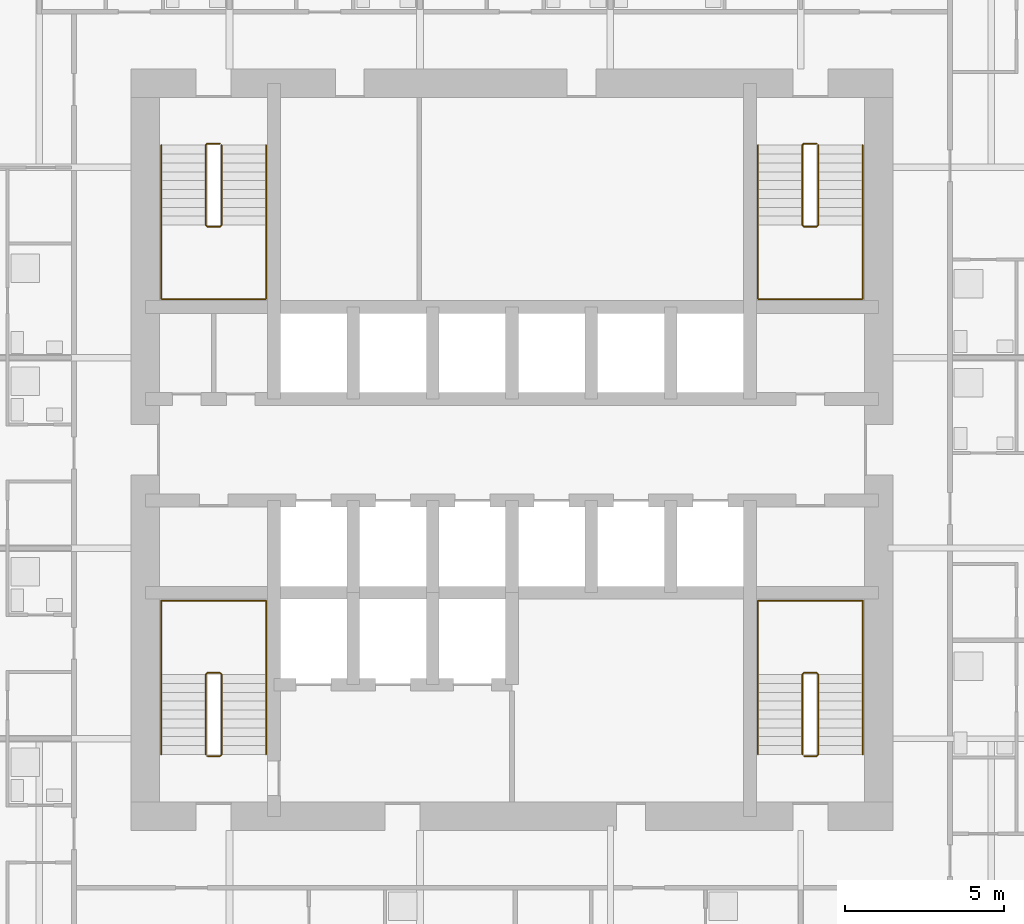
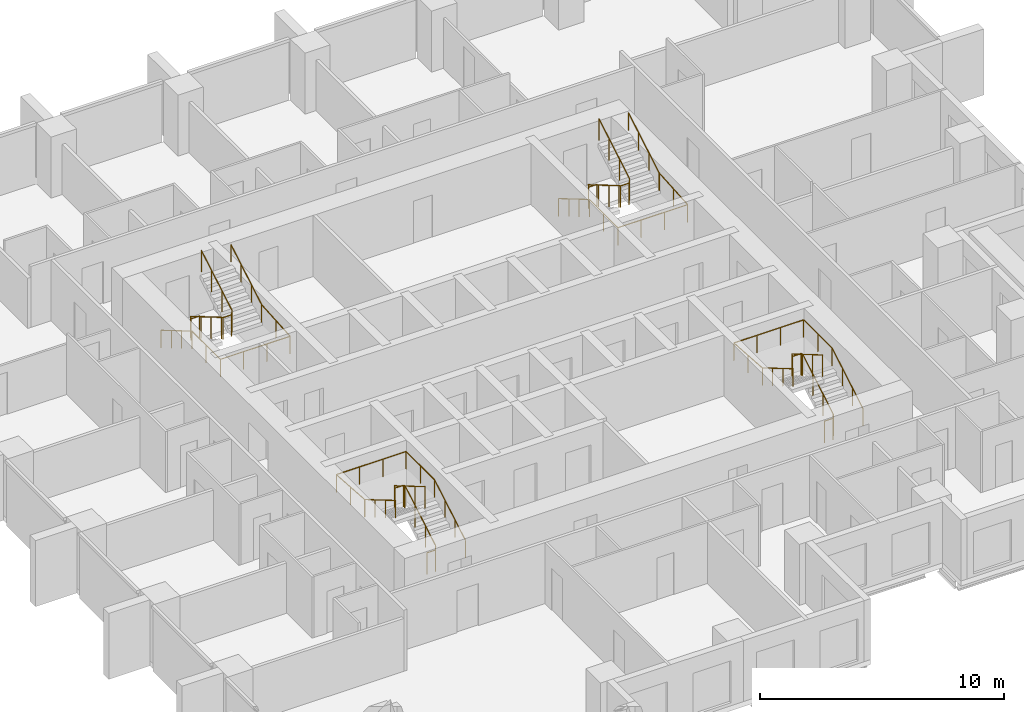
# One storey, part 9 of 10: 8 railings.
"""IFC4 building model written with IfcOpenShell, lengths in metres."""

from ifc_helpers import new_model, si_unit, direction, frame, origin, origin_2d, place, context, subcontext, project, spatial, circle, extrude, material, type_object, element, save


model = new_model("IFC4")

# Units and contexts
model_context = context("Model", 3, precision=1e-05, world=origin(), true_north=direction((0.0, 1.0)))
body_context = subcontext(model_context, "Body", "Model", "MODEL_VIEW")
ifc_project = project(units=[si_unit("LENGTHUNIT", "METRE"), si_unit("AREAUNIT", "SQUARE_METRE"), si_unit("VOLUMEUNIT", "CUBIC_METRE"), si_unit("PLANEANGLEUNIT", "RADIAN"), si_unit("MASSUNIT", "GRAM", prefix="KILO")], contexts=[model_context])

# Site, building, storey
site_placement = place(None, origin())
site = spatial("IfcSite", under=ifc_project, at=site_placement, CompositionType="ELEMENT")
building_placement = place(site_placement, origin())
building = spatial("IfcBuilding", under=site, at=building_placement, Name="Amberfall Residences", CompositionType="ELEMENT")
storey_placement = place(building_placement, frame((0.0, 0.0, 26.800048828125)))
storey = spatial("IfcBuildingStorey", under=building, at=storey_placement, Name="L06", CompositionType="ELEMENT", Elevation=26.800048828125)

# Railings
ifc_material = material(Name="Stainless steel 316", Category="steel")
railing_type_1 = type_object("IfcRailingType", Name="Stair guard 1100", PredefinedType="GUARDRAIL", material=ifc_material)
railing_1_placement = place(storey_placement, frame((64.89990234375, 35.85009765625, 0.0)))
element("IfcRailing", 1, at=railing_1_placement, inside=storey, type_object=railing_type_1, Name="L06 stair 1 guard", PredefinedType="GUARDRAIL", context=body_context, shape_type="SweptSolid", body=[
    extrude(circle(Radius=0.02392578125, at=origin_2d()), frame((0.0, 0.0, 1.076171875), z_axis=(1.0, 0.0, 0.0), x_axis=(0.0, 1.0, 0.0)), (0.0, 0.0, 1.0), 0.400146484375),
    extrude(circle(Radius=0.02392578125, at=origin_2d()), frame((0.400146484375, 0.0, 1.076171875), z_axis=(0.278810427259, 0.277450376394, 0.919394384522), x_axis=(-0.705375805398, 0.708833529934, 0.0)), (0.0, 0.0, 1.0), 0.179443359375),
    extrude(circle(Radius=0.02392578125, at=origin_2d()), frame((0.4501953125, 0.0498046875, 1.2412109375), z_axis=(0.0, 0.861560626758, 0.507654692109), x_axis=(-1.0, 0.0, 0.0)), (0.0, 0.0, 1.0), 2.925048828125),
    extrude(circle(Radius=0.02392578125, at=origin_2d()), frame((0.4501953125, 2.56982421875, 2.72607421875), z_axis=(-0.707106781187, 0.707106781187, 0.0), x_axis=(-0.707106781187, -0.707106781187, 0.0)), (0.0, 0.0, 1.0), 0.07080078125),
    extrude(circle(Radius=0.02392578125, at=origin_2d()), frame((0.400146484375, 2.619873046875, 2.72607421875), z_axis=(-1.0, 0.0, 0.0), x_axis=(0.0, -1.0, 0.0)), (0.0, 0.0, 1.0), 0.400146484375),
    extrude(circle(Radius=0.02392578125, at=origin_2d()), frame((0.0, 2.619873046875, 2.72607421875), z_axis=(-0.277450376394, -0.278810427259, 0.919394384522), x_axis=(0.708833529934, -0.705375805398, 0.0)), (0.0, 0.0, 1.0), 0.179443359375),
    extrude(circle(Radius=0.02392578125, at=origin_2d()), frame((-0.0498046875, 2.56982421875, 2.89111328125), z_axis=(0.0, -0.86152411907, 0.507716645641), x_axis=(1.0, 0.0, 0.0)), (0.0, 0.0, 1.0), 2.925048828125),
    extrude(circle(Radius=0.02099609375, at=origin_2d()), origin(), (0.0, 0.0, 1.0), 1.052001953125),
    extrude(circle(Radius=0.02099609375, at=origin_2d()), frame((0.400146484375, 0.0, 0.0)), (0.0, 0.0, 1.0), 1.052001953125),
    extrude(circle(Radius=0.02099609375, at=origin_2d()), frame((0.4501953125, 0.0498046875, 0.1650390625)), (0.0, 0.0, 1.0), 1.052001953125),
    extrude(circle(Radius=0.02099609375, at=origin_2d()), frame((0.4501953125, 0.889892578125, 0.659912109375)), (0.0, 0.0, 1.0), 1.052001953125),
    extrude(circle(Radius=0.02099609375, at=origin_2d()), frame((0.4501953125, 1.729736328125, 1.155029296875)), (0.0, 0.0, 1.0), 1.052001953125),
    extrude(circle(Radius=0.02099609375, at=origin_2d()), frame((0.4501953125, 2.56982421875, 1.64990234375)), (0.0, 0.0, 1.0), 1.052001953125),
    extrude(circle(Radius=0.02099609375, at=origin_2d()), frame((0.400146484375, 2.619873046875, 1.64990234375)), (0.0, 0.0, 1.0), 1.052001953125),
    extrude(circle(Radius=0.02099609375, at=origin_2d()), frame((0.0, 2.619873046875, 1.64990234375)), (0.0, 0.0, 1.0), 1.052001953125),
    extrude(circle(Radius=0.02099609375, at=origin_2d()), frame((-0.0498046875, 2.56982421875, 1.81494140625)), (0.0, 0.0, 1.0), 1.052001953125),
    extrude(circle(Radius=0.02099609375, at=origin_2d()), frame((-0.0498046875, 1.729736328125, 2.31005859375)), (0.0, 0.0, 1.0), 1.052001953125),
    extrude(circle(Radius=0.02099609375, at=origin_2d()), frame((-0.0498046875, 0.889892578125, 2.804931640625)), (0.0, 0.0, 1.0), 1.052001953125),
    extrude(circle(Radius=0.02099609375, at=origin_2d()), frame((-0.0498046875, 0.0498046875, 3.300048828125)), (0.0, 0.0, 1.0), 1.052001953125),
])
railing_2_placement = place(storey_placement, frame((83.699951171875, 35.85009765625, 0.0)))
element("IfcRailing", 2, at=railing_2_placement, inside=storey, type_object=railing_type_1, Name="L06 stair 2 guard", PredefinedType="GUARDRAIL", context=body_context, shape_type="SweptSolid", body=[
    extrude(circle(Radius=0.02392578125, at=origin_2d()), frame((0.0, 0.0, 1.076171875), z_axis=(1.0, 0.0, 0.0), x_axis=(0.0, 1.0, 0.0)), (0.0, 0.0, 1.0), 0.400146484375),
    extrude(circle(Radius=0.02392578125, at=origin_2d()), frame((0.400146484375, 0.0, 1.076171875), z_axis=(0.27755538755, 0.27755538755, 0.919742362667), x_axis=(-0.707106781187, 0.707106781187, 0.0)), (0.0, 0.0, 1.0), 0.179443359375),
    extrude(circle(Radius=0.02392578125, at=origin_2d()), frame((0.449951171875, 0.0498046875, 1.2412109375), z_axis=(0.0, 0.861560626758, 0.507654692109), x_axis=(-1.0, 0.0, 0.0)), (0.0, 0.0, 1.0), 2.925048828125),
    extrude(circle(Radius=0.02392578125, at=origin_2d()), frame((0.449951171875, 2.56982421875, 2.72607421875), z_axis=(-0.705375805398, 0.708833529934, 0.0), x_axis=(-0.708833529934, -0.705375805398, 0.0)), (0.0, 0.0, 1.0), 0.070556640625),
    extrude(circle(Radius=0.02392578125, at=origin_2d()), frame((0.400146484375, 2.619873046875, 2.72607421875), z_axis=(-1.0, 0.0, 0.0), x_axis=(0.0, -1.0, 0.0)), (0.0, 0.0, 1.0), 0.400146484375),
    extrude(circle(Radius=0.02392578125, at=origin_2d()), frame((0.0, 2.619873046875, 2.72607421875), z_axis=(-0.278705021027, -0.278705021027, 0.919046801044), x_axis=(0.707106781187, -0.707106781187, 0.0)), (0.0, 0.0, 1.0), 0.1796875),
    extrude(circle(Radius=0.02392578125, at=origin_2d()), frame((-0.050048828125, 2.56982421875, 2.89111328125), z_axis=(0.0, -0.86152411907, 0.507716645641), x_axis=(1.0, 0.0, 0.0)), (0.0, 0.0, 1.0), 2.925048828125),
    extrude(circle(Radius=0.02099609375, at=origin_2d()), origin(), (0.0, 0.0, 1.0), 1.052001953125),
    extrude(circle(Radius=0.02099609375, at=origin_2d()), frame((0.400146484375, 0.0, 0.0)), (0.0, 0.0, 1.0), 1.052001953125),
    extrude(circle(Radius=0.02099609375, at=origin_2d()), frame((0.449951171875, 0.0498046875, 0.1650390625)), (0.0, 0.0, 1.0), 1.052001953125),
    extrude(circle(Radius=0.02099609375, at=origin_2d()), frame((0.449951171875, 0.889892578125, 0.659912109375)), (0.0, 0.0, 1.0), 1.052001953125),
    extrude(circle(Radius=0.02099609375, at=origin_2d()), frame((0.449951171875, 1.729736328125, 1.155029296875)), (0.0, 0.0, 1.0), 1.052001953125),
    extrude(circle(Radius=0.02099609375, at=origin_2d()), frame((0.449951171875, 2.56982421875, 1.64990234375)), (0.0, 0.0, 1.0), 1.052001953125),
    extrude(circle(Radius=0.02099609375, at=origin_2d()), frame((0.400146484375, 2.619873046875, 1.64990234375)), (0.0, 0.0, 1.0), 1.052001953125),
    extrude(circle(Radius=0.02099609375, at=origin_2d()), frame((0.0, 2.619873046875, 1.64990234375)), (0.0, 0.0, 1.0), 1.052001953125),
    extrude(circle(Radius=0.02099609375, at=origin_2d()), frame((-0.050048828125, 2.56982421875, 1.81494140625)), (0.0, 0.0, 1.0), 1.052001953125),
    extrude(circle(Radius=0.02099609375, at=origin_2d()), frame((-0.050048828125, 1.729736328125, 2.31005859375)), (0.0, 0.0, 1.0), 1.052001953125),
    extrude(circle(Radius=0.02099609375, at=origin_2d()), frame((-0.050048828125, 0.889892578125, 2.804931640625)), (0.0, 0.0, 1.0), 1.052001953125),
    extrude(circle(Radius=0.02099609375, at=origin_2d()), frame((-0.050048828125, 0.0498046875, 3.300048828125)), (0.0, 0.0, 1.0), 1.052001953125),
])
railing_3_placement = place(storey_placement, frame((84.10009765625, 55.14990234375, 0.0)))
element("IfcRailing", 3, at=railing_3_placement, inside=storey, type_object=railing_type_1, Name="L06 stair 3 guard", PredefinedType="GUARDRAIL", context=body_context, shape_type="SweptSolid", body=[
    extrude(circle(Radius=0.02392578125, at=origin_2d()), frame((0.0, 0.0, 1.076171875), z_axis=(-1.0, 0.0, 0.0), x_axis=(0.0, -1.0, 0.0)), (0.0, 0.0, 1.0), 0.400146484375),
    extrude(circle(Radius=0.02392578125, at=origin_2d()), frame((-0.400146484375, 0.0, 1.076171875), z_axis=(-0.278810427259, -0.277450376394, 0.919394384522), x_axis=(0.705375805398, -0.708833529934, 0.0)), (0.0, 0.0, 1.0), 0.179443359375),
    extrude(circle(Radius=0.02392578125, at=origin_2d()), frame((-0.4501953125, -0.0498046875, 1.2412109375), z_axis=(0.0, -0.861560626758, 0.507654692109), x_axis=(1.0, 0.0, 0.0)), (0.0, 0.0, 1.0), 2.925048828125),
    extrude(circle(Radius=0.02392578125, at=origin_2d()), frame((-0.4501953125, -2.56982421875, 2.72607421875), z_axis=(0.707106781187, -0.707106781187, 0.0), x_axis=(0.707106781187, 0.707106781187, 0.0)), (0.0, 0.0, 1.0), 0.07080078125),
    extrude(circle(Radius=0.02392578125, at=origin_2d()), frame((-0.400146484375, -2.619873046875, 2.72607421875), z_axis=(1.0, 0.0, 0.0), x_axis=(0.0, 1.0, 0.0)), (0.0, 0.0, 1.0), 0.400146484375),
    extrude(circle(Radius=0.02392578125, at=origin_2d()), frame((0.0, -2.619873046875, 2.72607421875), z_axis=(0.277450376394, 0.278810427259, 0.919394384522), x_axis=(-0.708833529934, 0.705375805398, 0.0)), (0.0, 0.0, 1.0), 0.179443359375),
    extrude(circle(Radius=0.02392578125, at=origin_2d()), frame((0.0498046875, -2.56982421875, 2.89111328125), z_axis=(0.0, 0.86152411907, 0.507716645641), x_axis=(-1.0, 0.0, 0.0)), (0.0, 0.0, 1.0), 2.925048828125),
    extrude(circle(Radius=0.02099609375, at=origin_2d()), origin(), (0.0, 0.0, 1.0), 1.052001953125),
    extrude(circle(Radius=0.02099609375, at=origin_2d()), frame((-0.400146484375, 0.0, 0.0)), (0.0, 0.0, 1.0), 1.052001953125),
    extrude(circle(Radius=0.02099609375, at=origin_2d()), frame((-0.4501953125, -0.0498046875, 0.1650390625)), (0.0, 0.0, 1.0), 1.052001953125),
    extrude(circle(Radius=0.02099609375, at=origin_2d()), frame((-0.4501953125, -0.889892578125, 0.659912109375)), (0.0, 0.0, 1.0), 1.052001953125),
    extrude(circle(Radius=0.02099609375, at=origin_2d()), frame((-0.4501953125, -1.729736328125, 1.155029296875)), (0.0, 0.0, 1.0), 1.052001953125),
    extrude(circle(Radius=0.02099609375, at=origin_2d()), frame((-0.4501953125, -2.56982421875, 1.64990234375)), (0.0, 0.0, 1.0), 1.052001953125),
    extrude(circle(Radius=0.02099609375, at=origin_2d()), frame((-0.400146484375, -2.619873046875, 1.64990234375)), (0.0, 0.0, 1.0), 1.052001953125),
    extrude(circle(Radius=0.02099609375, at=origin_2d()), frame((0.0, -2.619873046875, 1.64990234375)), (0.0, 0.0, 1.0), 1.052001953125),
    extrude(circle(Radius=0.02099609375, at=origin_2d()), frame((0.0498046875, -2.56982421875, 1.81494140625)), (0.0, 0.0, 1.0), 1.052001953125),
    extrude(circle(Radius=0.02099609375, at=origin_2d()), frame((0.0498046875, -1.729736328125, 2.31005859375)), (0.0, 0.0, 1.0), 1.052001953125),
    extrude(circle(Radius=0.02099609375, at=origin_2d()), frame((0.0498046875, -0.889892578125, 2.804931640625)), (0.0, 0.0, 1.0), 1.052001953125),
    extrude(circle(Radius=0.02099609375, at=origin_2d()), frame((0.0498046875, -0.0498046875, 3.300048828125)), (0.0, 0.0, 1.0), 1.052001953125),
])
railing_4_placement = place(storey_placement, frame((65.300048828125, 55.14990234375, 0.0)))
element("IfcRailing", 4, at=railing_4_placement, inside=storey, type_object=railing_type_1, Name="L06 stair 4 guard", PredefinedType="GUARDRAIL", context=body_context, shape_type="SweptSolid", body=[
    extrude(circle(Radius=0.02392578125, at=origin_2d()), frame((0.0, 0.0, 1.076171875), z_axis=(-1.0, 0.0, 0.0), x_axis=(0.0, -1.0, 0.0)), (0.0, 0.0, 1.0), 0.400146484375),
    extrude(circle(Radius=0.02392578125, at=origin_2d()), frame((-0.400146484375, 0.0, 1.076171875), z_axis=(-0.27755538755, -0.27755538755, 0.919742362667), x_axis=(0.707106781187, -0.707106781187, 0.0)), (0.0, 0.0, 1.0), 0.179443359375),
    extrude(circle(Radius=0.02392578125, at=origin_2d()), frame((-0.449951171875, -0.0498046875, 1.2412109375), z_axis=(0.0, -0.861560626758, 0.507654692109), x_axis=(1.0, 0.0, 0.0)), (0.0, 0.0, 1.0), 2.925048828125),
    extrude(circle(Radius=0.02392578125, at=origin_2d()), frame((-0.449951171875, -2.56982421875, 2.72607421875), z_axis=(0.705375805398, -0.708833529934, 0.0), x_axis=(0.708833529934, 0.705375805398, 0.0)), (0.0, 0.0, 1.0), 0.070556640625),
    extrude(circle(Radius=0.02392578125, at=origin_2d()), frame((-0.400146484375, -2.619873046875, 2.72607421875), z_axis=(1.0, 0.0, 0.0), x_axis=(0.0, 1.0, 0.0)), (0.0, 0.0, 1.0), 0.400146484375),
    extrude(circle(Radius=0.02392578125, at=origin_2d()), frame((0.0, -2.619873046875, 2.72607421875), z_axis=(0.278705021027, 0.278705021027, 0.919046801044), x_axis=(-0.707106781187, 0.707106781187, 0.0)), (0.0, 0.0, 1.0), 0.1796875),
    extrude(circle(Radius=0.02392578125, at=origin_2d()), frame((0.050048828125, -2.56982421875, 2.89111328125), z_axis=(0.0, 0.86152411907, 0.507716645641), x_axis=(-1.0, 0.0, 0.0)), (0.0, 0.0, 1.0), 2.925048828125),
    extrude(circle(Radius=0.02099609375, at=origin_2d()), origin(), (0.0, 0.0, 1.0), 1.052001953125),
    extrude(circle(Radius=0.02099609375, at=origin_2d()), frame((-0.400146484375, 0.0, 0.0)), (0.0, 0.0, 1.0), 1.052001953125),
    extrude(circle(Radius=0.02099609375, at=origin_2d()), frame((-0.449951171875, -0.0498046875, 0.1650390625)), (0.0, 0.0, 1.0), 1.052001953125),
    extrude(circle(Radius=0.02099609375, at=origin_2d()), frame((-0.449951171875, -0.889892578125, 0.659912109375)), (0.0, 0.0, 1.0), 1.052001953125),
    extrude(circle(Radius=0.02099609375, at=origin_2d()), frame((-0.449951171875, -1.729736328125, 1.155029296875)), (0.0, 0.0, 1.0), 1.052001953125),
    extrude(circle(Radius=0.02099609375, at=origin_2d()), frame((-0.449951171875, -2.56982421875, 1.64990234375)), (0.0, 0.0, 1.0), 1.052001953125),
    extrude(circle(Radius=0.02099609375, at=origin_2d()), frame((-0.400146484375, -2.619873046875, 1.64990234375)), (0.0, 0.0, 1.0), 1.052001953125),
    extrude(circle(Radius=0.02099609375, at=origin_2d()), frame((0.0, -2.619873046875, 1.64990234375)), (0.0, 0.0, 1.0), 1.052001953125),
    extrude(circle(Radius=0.02099609375, at=origin_2d()), frame((0.050048828125, -2.56982421875, 1.81494140625)), (0.0, 0.0, 1.0), 1.052001953125),
    extrude(circle(Radius=0.02099609375, at=origin_2d()), frame((0.050048828125, -1.729736328125, 2.31005859375)), (0.0, 0.0, 1.0), 1.052001953125),
    extrude(circle(Radius=0.02099609375, at=origin_2d()), frame((0.050048828125, -0.889892578125, 2.804931640625)), (0.0, 0.0, 1.0), 1.052001953125),
    extrude(circle(Radius=0.02099609375, at=origin_2d()), frame((0.050048828125, -0.0498046875, 3.300048828125)), (0.0, 0.0, 1.0), 1.052001953125),
])
railing_type_2 = type_object("IfcRailingType", Name="Stair handrail 900", PredefinedType="HANDRAIL", material=ifc_material)
railing_5_placement = place(storey_placement, frame((66.75, 35.89990234375, 0.1650390625)))
element("IfcRailing", 5, at=railing_5_placement, inside=storey, type_object=railing_type_2, Name="L06 stair 1 handrail", PredefinedType="HANDRAIL", context=body_context, shape_type="SweptSolid", body=[
    extrude(circle(Radius=0.02392578125, at=origin_2d()), frame((0.0, 0.0, 0.8759765625), z_axis=(0.0, 0.861560626758, 0.507654692109), x_axis=(-1.0, 0.0, 0.0)), (0.0, 0.0, 1.0), 2.925048828125),
    extrude(circle(Radius=0.02392578125, at=origin_2d()), frame((0.0, 2.52001953125, 2.36083984375), z_axis=(0.0, 1.0, 0.0), x_axis=(-1.0, 0.0, 0.0)), (0.0, 0.0, 1.0), 2.330078125),
    extrude(circle(Radius=0.02392578125, at=origin_2d()), frame((0.0, 4.85009765625, 2.36083984375), z_axis=(-1.0, 0.0, 0.0), x_axis=(0.0, -1.0, 0.0)), (0.0, 0.0, 1.0), 3.300048828125),
    extrude(circle(Radius=0.02392578125, at=origin_2d()), frame((-3.300048828125, 4.85009765625, 2.36083984375), z_axis=(0.0, -0.997500965899, 0.07065283455), x_axis=(1.0, 0.0, 0.0)), (0.0, 0.0, 1.0), 2.3359375),
    extrude(circle(Radius=0.02392578125, at=origin_2d()), frame((-3.300048828125, 2.52001953125, 2.52587890625), z_axis=(0.0, -0.86152411907, 0.507716645641), x_axis=(1.0, 0.0, 0.0)), (0.0, 0.0, 1.0), 2.925048828125),
    extrude(circle(Radius=0.02099609375, at=origin_2d()), origin(), (0.0, 0.0, 1.0), 0.851806640625),
    extrude(circle(Radius=0.02099609375, at=origin_2d()), frame((0.0, 0.840087890625, 0.494873046875)), (0.0, 0.0, 1.0), 0.851806640625),
    extrude(circle(Radius=0.02099609375, at=origin_2d()), frame((0.0, 1.679931640625, 0.989990234375)), (0.0, 0.0, 1.0), 0.851806640625),
    extrude(circle(Radius=0.02099609375, at=origin_2d()), frame((0.0, 2.52001953125, 1.48486328125)), (0.0, 0.0, 1.0), 0.851806640625),
    extrude(circle(Radius=0.02099609375, at=origin_2d()), frame((0.0, 3.68505859375, 1.48486328125)), (0.0, 0.0, 1.0), 0.851806640625),
    extrude(circle(Radius=0.02099609375, at=origin_2d()), frame((0.0, 4.85009765625, 1.48486328125)), (0.0, 0.0, 1.0), 0.851806640625),
    extrude(circle(Radius=0.02099609375, at=origin_2d()), frame((-1.10009765625, 4.85009765625, 1.48486328125)), (0.0, 0.0, 1.0), 0.851806640625),
    extrude(circle(Radius=0.02099609375, at=origin_2d()), frame((-2.199951171875, 4.85009765625, 1.48486328125)), (0.0, 0.0, 1.0), 0.851806640625),
    extrude(circle(Radius=0.02099609375, at=origin_2d()), frame((-3.300048828125, 4.85009765625, 1.48486328125)), (0.0, 0.0, 1.0), 0.851806640625),
    extrude(circle(Radius=0.02099609375, at=origin_2d()), frame((-3.300048828125, 3.68505859375, 1.5673828125)), (0.0, 0.0, 1.0), 0.851806640625),
    extrude(circle(Radius=0.02099609375, at=origin_2d()), frame((-3.300048828125, 2.52001953125, 1.64990234375)), (0.0, 0.0, 1.0), 0.851806640625),
    extrude(circle(Radius=0.02099609375, at=origin_2d()), frame((-3.300048828125, 1.679931640625, 2.14501953125)), (0.0, 0.0, 1.0), 0.851806640625),
    extrude(circle(Radius=0.02099609375, at=origin_2d()), frame((-3.300048828125, 0.840087890625, 2.639892578125)), (0.0, 0.0, 1.0), 0.851806640625),
    extrude(circle(Radius=0.02099609375, at=origin_2d()), frame((-3.300048828125, 0.0, 3.135009765625)), (0.0, 0.0, 1.0), 0.851806640625),
])
railing_6_placement = place(storey_placement, frame((85.550048828125, 35.89990234375, 0.1650390625)))
element("IfcRailing", 6, at=railing_6_placement, inside=storey, type_object=railing_type_2, Name="L06 stair 2 handrail", PredefinedType="HANDRAIL", context=body_context, shape_type="SweptSolid", body=[
    extrude(circle(Radius=0.02392578125, at=origin_2d()), frame((0.0, 0.0, 0.8759765625), z_axis=(0.0, 0.861560626758, 0.507654692109), x_axis=(-1.0, 0.0, 0.0)), (0.0, 0.0, 1.0), 2.925048828125),
    extrude(circle(Radius=0.02392578125, at=origin_2d()), frame((0.0, 2.52001953125, 2.36083984375), z_axis=(0.0, 1.0, 0.0), x_axis=(-1.0, 0.0, 0.0)), (0.0, 0.0, 1.0), 2.330078125),
    extrude(circle(Radius=0.02392578125, at=origin_2d()), frame((0.0, 4.85009765625, 2.36083984375), z_axis=(-1.0, 0.0, 0.0), x_axis=(0.0, -1.0, 0.0)), (0.0, 0.0, 1.0), 3.300048828125),
    extrude(circle(Radius=0.02392578125, at=origin_2d()), frame((-3.300048828125, 4.85009765625, 2.36083984375), z_axis=(0.0, -0.997500965899, 0.07065283455), x_axis=(1.0, 0.0, 0.0)), (0.0, 0.0, 1.0), 2.3359375),
    extrude(circle(Radius=0.02392578125, at=origin_2d()), frame((-3.300048828125, 2.52001953125, 2.52587890625), z_axis=(0.0, -0.86152411907, 0.507716645641), x_axis=(1.0, 0.0, 0.0)), (0.0, 0.0, 1.0), 2.925048828125),
    extrude(circle(Radius=0.02099609375, at=origin_2d()), origin(), (0.0, 0.0, 1.0), 0.851806640625),
    extrude(circle(Radius=0.02099609375, at=origin_2d()), frame((0.0, 0.840087890625, 0.494873046875)), (0.0, 0.0, 1.0), 0.851806640625),
    extrude(circle(Radius=0.02099609375, at=origin_2d()), frame((0.0, 1.679931640625, 0.989990234375)), (0.0, 0.0, 1.0), 0.851806640625),
    extrude(circle(Radius=0.02099609375, at=origin_2d()), frame((0.0, 2.52001953125, 1.48486328125)), (0.0, 0.0, 1.0), 0.851806640625),
    extrude(circle(Radius=0.02099609375, at=origin_2d()), frame((0.0, 3.68505859375, 1.48486328125)), (0.0, 0.0, 1.0), 0.851806640625),
    extrude(circle(Radius=0.02099609375, at=origin_2d()), frame((0.0, 4.85009765625, 1.48486328125)), (0.0, 0.0, 1.0), 0.851806640625),
    extrude(circle(Radius=0.02099609375, at=origin_2d()), frame((-1.10009765625, 4.85009765625, 1.48486328125)), (0.0, 0.0, 1.0), 0.851806640625),
    extrude(circle(Radius=0.02099609375, at=origin_2d()), frame((-2.199951171875, 4.85009765625, 1.48486328125)), (0.0, 0.0, 1.0), 0.851806640625),
    extrude(circle(Radius=0.02099609375, at=origin_2d()), frame((-3.300048828125, 4.85009765625, 1.48486328125)), (0.0, 0.0, 1.0), 0.851806640625),
    extrude(circle(Radius=0.02099609375, at=origin_2d()), frame((-3.300048828125, 3.68505859375, 1.5673828125)), (0.0, 0.0, 1.0), 0.851806640625),
    extrude(circle(Radius=0.02099609375, at=origin_2d()), frame((-3.300048828125, 2.52001953125, 1.64990234375)), (0.0, 0.0, 1.0), 0.851806640625),
    extrude(circle(Radius=0.02099609375, at=origin_2d()), frame((-3.300048828125, 1.679931640625, 2.14501953125)), (0.0, 0.0, 1.0), 0.851806640625),
    extrude(circle(Radius=0.02099609375, at=origin_2d()), frame((-3.300048828125, 0.840087890625, 2.639892578125)), (0.0, 0.0, 1.0), 0.851806640625),
    extrude(circle(Radius=0.02099609375, at=origin_2d()), frame((-3.300048828125, 0.0, 3.135009765625)), (0.0, 0.0, 1.0), 0.851806640625),
])
railing_7_placement = place(storey_placement, frame((82.25, 55.10009765625, 0.1650390625)))
element("IfcRailing", 7, at=railing_7_placement, inside=storey, type_object=railing_type_2, Name="L06 stair 3 handrail", PredefinedType="HANDRAIL", context=body_context, shape_type="SweptSolid", body=[
    extrude(circle(Radius=0.02392578125, at=origin_2d()), frame((0.0, 0.0, 0.8759765625), z_axis=(0.0, -0.861560626758, 0.507654692109), x_axis=(1.0, 0.0, 0.0)), (0.0, 0.0, 1.0), 2.925048828125),
    extrude(circle(Radius=0.02392578125, at=origin_2d()), frame((0.0, -2.52001953125, 2.36083984375), z_axis=(0.0, -1.0, 0.0), x_axis=(1.0, 0.0, 0.0)), (0.0, 0.0, 1.0), 2.330078125),
    extrude(circle(Radius=0.02392578125, at=origin_2d()), frame((0.0, -4.85009765625, 2.36083984375), z_axis=(1.0, 0.0, 0.0), x_axis=(0.0, 1.0, 0.0)), (0.0, 0.0, 1.0), 3.300048828125),
    extrude(circle(Radius=0.02392578125, at=origin_2d()), frame((3.300048828125, -4.85009765625, 2.36083984375), z_axis=(0.0, 0.997500965899, 0.07065283455), x_axis=(-1.0, 0.0, 0.0)), (0.0, 0.0, 1.0), 2.3359375),
    extrude(circle(Radius=0.02392578125, at=origin_2d()), frame((3.300048828125, -2.52001953125, 2.52587890625), z_axis=(0.0, 0.86152411907, 0.507716645641), x_axis=(-1.0, 0.0, 0.0)), (0.0, 0.0, 1.0), 2.925048828125),
    extrude(circle(Radius=0.02099609375, at=origin_2d()), origin(), (0.0, 0.0, 1.0), 0.851806640625),
    extrude(circle(Radius=0.02099609375, at=origin_2d()), frame((0.0, -0.840087890625, 0.494873046875)), (0.0, 0.0, 1.0), 0.851806640625),
    extrude(circle(Radius=0.02099609375, at=origin_2d()), frame((0.0, -1.679931640625, 0.989990234375)), (0.0, 0.0, 1.0), 0.851806640625),
    extrude(circle(Radius=0.02099609375, at=origin_2d()), frame((0.0, -2.52001953125, 1.48486328125)), (0.0, 0.0, 1.0), 0.851806640625),
    extrude(circle(Radius=0.02099609375, at=origin_2d()), frame((0.0, -3.68505859375, 1.48486328125)), (0.0, 0.0, 1.0), 0.851806640625),
    extrude(circle(Radius=0.02099609375, at=origin_2d()), frame((0.0, -4.85009765625, 1.48486328125)), (0.0, 0.0, 1.0), 0.851806640625),
    extrude(circle(Radius=0.02099609375, at=origin_2d()), frame((1.10009765625, -4.85009765625, 1.48486328125)), (0.0, 0.0, 1.0), 0.851806640625),
    extrude(circle(Radius=0.02099609375, at=origin_2d()), frame((2.199951171875, -4.85009765625, 1.48486328125)), (0.0, 0.0, 1.0), 0.851806640625),
    extrude(circle(Radius=0.02099609375, at=origin_2d()), frame((3.300048828125, -4.85009765625, 1.48486328125)), (0.0, 0.0, 1.0), 0.851806640625),
    extrude(circle(Radius=0.02099609375, at=origin_2d()), frame((3.300048828125, -3.68505859375, 1.5673828125)), (0.0, 0.0, 1.0), 0.851806640625),
    extrude(circle(Radius=0.02099609375, at=origin_2d()), frame((3.300048828125, -2.52001953125, 1.64990234375)), (0.0, 0.0, 1.0), 0.851806640625),
    extrude(circle(Radius=0.02099609375, at=origin_2d()), frame((3.300048828125, -1.679931640625, 2.14501953125)), (0.0, 0.0, 1.0), 0.851806640625),
    extrude(circle(Radius=0.02099609375, at=origin_2d()), frame((3.300048828125, -0.840087890625, 2.639892578125)), (0.0, 0.0, 1.0), 0.851806640625),
    extrude(circle(Radius=0.02099609375, at=origin_2d()), frame((3.300048828125, 0.0, 3.135009765625)), (0.0, 0.0, 1.0), 0.851806640625),
])
railing_8_placement = place(storey_placement, frame((63.449951171875, 55.10009765625, 0.1650390625)))
element("IfcRailing", 8, at=railing_8_placement, inside=storey, type_object=railing_type_2, Name="L06 stair 4 handrail", PredefinedType="HANDRAIL", context=body_context, shape_type="SweptSolid", body=[
    extrude(circle(Radius=0.02392578125, at=origin_2d()), frame((0.0, 0.0, 0.8759765625), z_axis=(0.0, -0.861560626758, 0.507654692109), x_axis=(1.0, 0.0, 0.0)), (0.0, 0.0, 1.0), 2.925048828125),
    extrude(circle(Radius=0.02392578125, at=origin_2d()), frame((0.0, -2.52001953125, 2.36083984375), z_axis=(0.0, -1.0, 0.0), x_axis=(1.0, 0.0, 0.0)), (0.0, 0.0, 1.0), 2.330078125),
    extrude(circle(Radius=0.02392578125, at=origin_2d()), frame((0.0, -4.85009765625, 2.36083984375), z_axis=(1.0, 0.0, 0.0), x_axis=(0.0, 1.0, 0.0)), (0.0, 0.0, 1.0), 3.300048828125),
    extrude(circle(Radius=0.02392578125, at=origin_2d()), frame((3.300048828125, -4.85009765625, 2.36083984375), z_axis=(0.0, 0.997500965899, 0.07065283455), x_axis=(-1.0, 0.0, 0.0)), (0.0, 0.0, 1.0), 2.3359375),
    extrude(circle(Radius=0.02392578125, at=origin_2d()), frame((3.300048828125, -2.52001953125, 2.52587890625), z_axis=(0.0, 0.86152411907, 0.507716645641), x_axis=(-1.0, 0.0, 0.0)), (0.0, 0.0, 1.0), 2.925048828125),
    extrude(circle(Radius=0.02099609375, at=origin_2d()), origin(), (0.0, 0.0, 1.0), 0.851806640625),
    extrude(circle(Radius=0.02099609375, at=origin_2d()), frame((0.0, -0.840087890625, 0.494873046875)), (0.0, 0.0, 1.0), 0.851806640625),
    extrude(circle(Radius=0.02099609375, at=origin_2d()), frame((0.0, -1.679931640625, 0.989990234375)), (0.0, 0.0, 1.0), 0.851806640625),
    extrude(circle(Radius=0.02099609375, at=origin_2d()), frame((0.0, -2.52001953125, 1.48486328125)), (0.0, 0.0, 1.0), 0.851806640625),
    extrude(circle(Radius=0.02099609375, at=origin_2d()), frame((0.0, -3.68505859375, 1.48486328125)), (0.0, 0.0, 1.0), 0.851806640625),
    extrude(circle(Radius=0.02099609375, at=origin_2d()), frame((0.0, -4.85009765625, 1.48486328125)), (0.0, 0.0, 1.0), 0.851806640625),
    extrude(circle(Radius=0.02099609375, at=origin_2d()), frame((1.10009765625, -4.85009765625, 1.48486328125)), (0.0, 0.0, 1.0), 0.851806640625),
    extrude(circle(Radius=0.02099609375, at=origin_2d()), frame((2.199951171875, -4.85009765625, 1.48486328125)), (0.0, 0.0, 1.0), 0.851806640625),
    extrude(circle(Radius=0.02099609375, at=origin_2d()), frame((3.300048828125, -4.85009765625, 1.48486328125)), (0.0, 0.0, 1.0), 0.851806640625),
    extrude(circle(Radius=0.02099609375, at=origin_2d()), frame((3.300048828125, -3.68505859375, 1.5673828125)), (0.0, 0.0, 1.0), 0.851806640625),
    extrude(circle(Radius=0.02099609375, at=origin_2d()), frame((3.300048828125, -2.52001953125, 1.64990234375)), (0.0, 0.0, 1.0), 0.851806640625),
    extrude(circle(Radius=0.02099609375, at=origin_2d()), frame((3.300048828125, -1.679931640625, 2.14501953125)), (0.0, 0.0, 1.0), 0.851806640625),
    extrude(circle(Radius=0.02099609375, at=origin_2d()), frame((3.300048828125, -0.840087890625, 2.639892578125)), (0.0, 0.0, 1.0), 0.851806640625),
    extrude(circle(Radius=0.02099609375, at=origin_2d()), frame((3.300048828125, 0.0, 3.135009765625)), (0.0, 0.0, 1.0), 0.851806640625),
])

save(model, "model.ifc")
